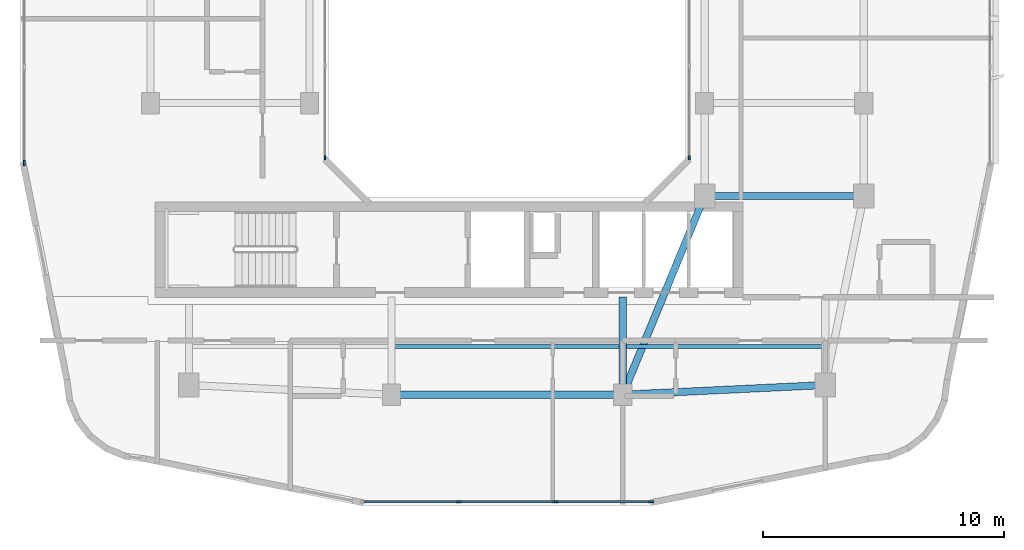
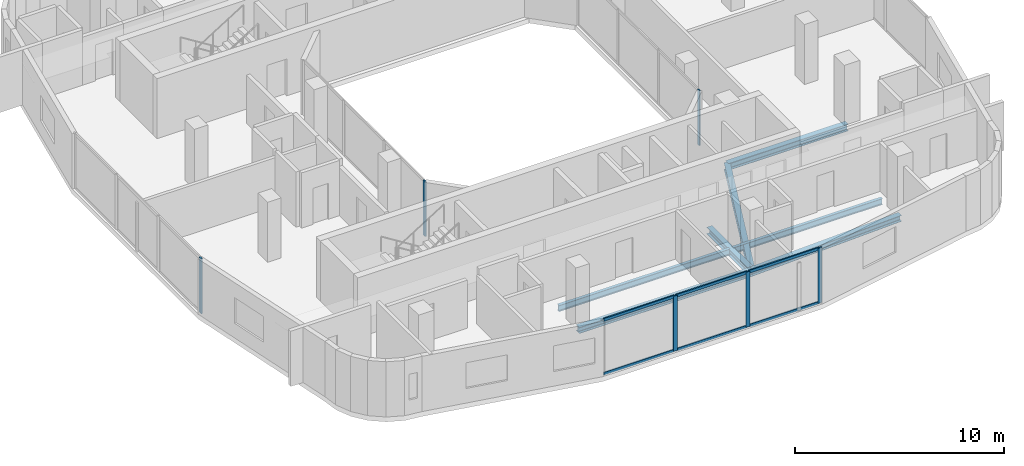
# One storey, part 2 of 14: 12 members, 7 beams, 4 elements without a shape of their own.
"""IFC4 building model written with IfcOpenShell, lengths in metres."""

from ifc_helpers import new_model, si_unit, derived_unit, direction, frame, origin, origin_2d, place, context, subcontext, project, spatial, rectangle, i_section, extrude, material, layer, layer_set, material_profile, profile_set, type_object, element, aggregate, save


model = new_model("IFC4")

# Units and contexts
model_context = context("Model", 3, precision=1e-05, world=origin(), true_north=direction((0.0, 1.0)))
body_context = subcontext(model_context, "Body", "Model", "MODEL_VIEW")
ifc_project = project(units=[si_unit("LENGTHUNIT", "METRE"), si_unit("AREAUNIT", "SQUARE_METRE"), si_unit("VOLUMEUNIT", "CUBIC_METRE"), si_unit("PLANEANGLEUNIT", "RADIAN"), si_unit("MASSUNIT", "GRAM", prefix="KILO"), derived_unit("THERMALTRANSMITTANCEUNIT", [(si_unit("POWERUNIT", "WATT"), 1), (si_unit("LENGTHUNIT", "METRE"), -2), (si_unit("THERMODYNAMICTEMPERATUREUNIT", "KELVIN"), -1)])], contexts=[model_context])

# Site, building, storey
site_placement = place(None, origin())
site = spatial("IfcSite", under=ifc_project, at=site_placement, CompositionType="ELEMENT")
building_placement = place(site_placement, origin())
building = spatial("IfcBuilding", under=site, at=building_placement, Name="Kivonza Crest Hotel", CompositionType="ELEMENT")
storey_placement = place(building_placement, frame((0.0, 0.0, 162.5)))
storey = spatial("IfcBuildingStorey", under=building, at=storey_placement, Name="L44", CompositionType="ELEMENT", Elevation=162.5)

# Beams
ifc_material_1 = material(Name="Steel S355", Category="steel")
ifc_material_profile_1 = material_profile(ifc_material_1, i_section(OverallWidth=0.300048828125, OverallDepth=0.360107421875, WebThickness=0.012451171875, FlangeThickness=0.0224609375, FilletRadius=0.027099609375, at=origin_2d()), Name="HEB 360")
ifc_profile_set_1 = profile_set([ifc_material_profile_1], Name="Steel S355")
beam_type_1 = type_object("IfcBeamType", Name="BM-HEB360", PredefinedType="SPANDREL", material=ifc_profile_set_1)
beam_1_placement = place(storey_placement, frame((16.199951171875, 9.39990234375, -0.4599609375), z_axis=(1.0, 0.0, 0.0), x_axis=(0.0, 1.0, 0.0)))
element("IfcBeam", 1, at=beam_1_placement, inside=storey, type_object=beam_type_1, Name="Tower T1 L44 perimeter spandrel S1-S2", PredefinedType="SPANDREL", context=body_context, shape_type="SweptSolid", body=[
    extrude(i_section(OverallWidth=0.300048828125, OverallDepth=0.360107421875, WebThickness=0.012451171875, FlangeThickness=0.0224609375, FilletRadius=0.027099609375, at=origin_2d()), origin(), (0.0, 0.0, 1.0), 9.60009765625),
])
beam_2_placement = place(storey_placement, frame((25.800048828125, 9.39990234375, -0.4599609375), z_axis=(0.998867283688, 0.047583080799, 0.0), x_axis=(-0.047583080799, 0.998867283688, 0.0)))
element("IfcBeam", 2, at=beam_2_placement, inside=storey, type_object=beam_type_1, Name="Tower T1 L44 perimeter spandrel S2-SE", PredefinedType="SPANDREL", context=body_context, shape_type="SweptSolid", body=[
    extrude(i_section(OverallWidth=0.300048828125, OverallDepth=0.360107421875, WebThickness=0.012451171875, FlangeThickness=0.0224609375, FilletRadius=0.027099609375, at=origin_2d()), origin(), (0.0, 0.0, 1.0), 8.409423828125),
])
ifc_material_profile_2 = material_profile(ifc_material_1, i_section(OverallWidth=0.300048828125, OverallDepth=0.39990234375, WebThickness=0.013427734375, FlangeThickness=0.02392578125, FilletRadius=0.027099609375, at=origin_2d()), Name="HEB 400")
ifc_profile_set_2 = profile_set([ifc_material_profile_2], Name="Steel S355")
beam_type_2 = type_object("IfcBeamType", Name="BM-HEB400", PredefinedType="BEAM", material=ifc_profile_set_2)
beam_3_placement = place(storey_placement, frame((25.800048828125, 9.39990234375, -0.47998046875), z_axis=(0.381022260404, 0.924565864109, 0.0), x_axis=(-0.924565864109, 0.381022260404, 0.0)))
element("IfcBeam", 3, at=beam_3_placement, inside=storey, type_object=beam_type_2, Name="Tower T1 L44 primary girder S1-TSE", PredefinedType="BEAM", context=body_context, shape_type="SweptSolid", body=[
    extrude(i_section(OverallWidth=0.300048828125, OverallDepth=0.39990234375, WebThickness=0.013427734375, FlangeThickness=0.02392578125, FilletRadius=0.027099609375, at=origin_2d()), origin(), (0.0, 0.0, 1.0), 8.923095703125),
])
beam_4_placement = place(storey_placement, frame((29.199951171875, 17.64990234375, -0.47998046875), z_axis=(1.0, 0.0, 0.0), x_axis=(0.0, 1.0, 0.0)))
element("IfcBeam", 4, at=beam_4_placement, inside=storey, type_object=beam_type_2, Name="Tower T1 L44 primary girder TSE-PSE", PredefinedType="BEAM", context=body_context, shape_type="SweptSolid", body=[
    extrude(i_section(OverallWidth=0.300048828125, OverallDepth=0.39990234375, WebThickness=0.013427734375, FlangeThickness=0.02392578125, FilletRadius=0.027099609375, at=origin_2d()), origin(), (0.0, 0.0, 1.0), 6.60009765625),
])
beam_5_placement = place(storey_placement, frame((25.800048828125, 9.39990234375, -0.47998046875), z_axis=(0.0, 1.0, 0.0), x_axis=(-1.0, 0.0, 0.0)))
element("IfcBeam", 5, at=beam_5_placement, inside=storey, type_object=beam_type_2, Name="Tower T1 L44 radial core girder RS2", PredefinedType="BEAM", context=body_context, shape_type="SweptSolid", body=[
    extrude(i_section(OverallWidth=0.300048828125, OverallDepth=0.39990234375, WebThickness=0.013427734375, FlangeThickness=0.02392578125, FilletRadius=0.027099609375, at=origin_2d()), origin(), (0.0, 0.0, 1.0), 4.050048828125),
])
ifc_material_profile_3 = material_profile(ifc_material_1, i_section(OverallWidth=0.169921875, OverallDepth=0.360107421875, WebThickness=0.008056640625, FlangeThickness=0.0126953125, FilletRadius=0.01806640625, at=origin_2d()), Name="IPE 360")
ifc_profile_set_3 = profile_set([ifc_material_profile_3], Name="Steel S355")
beam_type_3 = type_object("IfcBeamType", Name="BM-IPE360", PredefinedType="JOIST", material=ifc_profile_set_3)
beam_6_placement = place(storey_placement, frame((16.280029296875, 11.39990234375, -0.4599609375), z_axis=(1.0, 0.0, 0.0), x_axis=(0.0, 1.0, 0.0)))
element("IfcBeam", 6, at=beam_6_placement, inside=storey, type_object=beam_type_3, Name="Tower T1 L44 South-Mid floor joist", PredefinedType="JOIST", context=body_context, shape_type="SweptSolid", body=[
    extrude(i_section(OverallWidth=0.169921875, OverallDepth=0.360107421875, WebThickness=0.008056640625, FlangeThickness=0.0126953125, FilletRadius=0.01806640625, at=origin_2d()), origin(), (0.0, 0.0, 1.0), 9.43994140625),
])
beam_7_placement = place(storey_placement, frame((25.8798828125, 11.39990234375, -0.4599609375), z_axis=(1.0, 0.0, 0.0), x_axis=(0.0, 1.0, 0.0)))
element("IfcBeam", 7, at=beam_7_placement, inside=storey, type_object=beam_type_3, Name="Tower T1 L44 South-East floor joist", PredefinedType="JOIST", context=body_context, shape_type="SweptSolid", body=[
    extrude(i_section(OverallWidth=0.169921875, OverallDepth=0.360107421875, WebThickness=0.008056640625, FlangeThickness=0.0126953125, FilletRadius=0.01806640625, at=origin_2d()), origin(), (0.0, 0.0, 1.0), 8.240234375),
])

# Curtain wall, member
ifc_material_2 = material(Name="Anodised bronze aluminium and low-E double glazing", Category="aluminium")
ifc_layer_1 = layer(ifc_material_2, 0.159912109375)
ifc_layer_set_1 = layer_set([ifc_layer_1], Name="Anodised bronze aluminium and low-E double glazing")
curtain_wall_type_1 = type_object("IfcCurtainWallType", Name="CW-SYS-5", PredefinedType="NOTDEFINED", material=ifc_layer_set_1)
curtain_wall_1_placement = place(storey_placement, origin())
curtain_wall_1 = element("IfcCurtainWall", 8, at=curtain_wall_1_placement, inside=storey, type_object=curtain_wall_type_1, Name="L44 unitised curtain wall CW-WELL-T1-L44-3", PredefinedType="NOTDEFINED")
ifc_material_3 = material(Name="Anodised bronze aluminium", Category="aluminium")
ifc_material_profile_4 = material_profile(ifc_material_3, rectangle(XDim=0.06494140625, YDim=0.179931640625, at=origin_2d()), Name="CW-M 65x180")
ifc_profile_set_4 = profile_set([ifc_material_profile_4], Name="Anodised bronze aluminium")
member_type_1 = type_object("IfcMemberType", Name="CW-MUL-65x180", PredefinedType="MULLION", material=ifc_profile_set_4)
member_1_placement = place(storey_placement, frame((28.56005859375, 19.232421875, 0.0), z_axis=(0.0, 0.0, 1.0), x_axis=(-1.0, 0.0, 0.0)))
member_1 = element("IfcMember", 9, at=member_1_placement, type_object=member_type_1, Name="CW-5 mullion 1", PredefinedType="MULLION", context=body_context, shape_type="SweptSolid", body=[
    extrude(rectangle(XDim=0.06494140625, YDim=0.179931640625, at=origin_2d()), origin(), (0.0, 0.0, 1.0), 3.219970703125),
])
aggregate(curtain_wall_1, [member_1])

curtain_wall_2_placement = place(storey_placement, origin())
curtain_wall_2 = element("IfcCurtainWall", 10, at=curtain_wall_2_placement, inside=storey, type_object=curtain_wall_type_1, Name="L44 unitised curtain wall CW-WELL-T1-L44-7", PredefinedType="NOTDEFINED")
member_2_placement = place(storey_placement, frame((13.43994140625, 19.232421875, 0.0), z_axis=(0.0, 0.0, 1.0), x_axis=(1.0, 0.0, 0.0)))
member_2 = element("IfcMember", 11, at=member_2_placement, type_object=member_type_1, Name="CW-5 mullion 4", PredefinedType="MULLION", context=body_context, shape_type="SweptSolid", body=[
    extrude(rectangle(XDim=0.06494140625, YDim=0.179931640625, at=origin_2d()), origin(), (0.0, 0.0, 1.0), 3.219970703125),
])
aggregate(curtain_wall_2, [member_2])

# Curtain wall, members
ifc_layer_2 = layer(ifc_material_2, 0.179931640625)
ifc_layer_set_2 = layer_set([ifc_layer_2], Name="Anodised bronze aluminium and low-E double glazing")
curtain_wall_type_2 = type_object("IfcCurtainWallType", Name="CW-SYS-3", PredefinedType="NOTDEFINED", material=ifc_layer_set_2)
curtain_wall_3_placement = place(storey_placement, origin())
curtain_wall_3 = element("IfcCurtainWall", 12, at=curtain_wall_3_placement, inside=storey, type_object=curtain_wall_type_2, Name="L44 unitised curtain wall CW-T1-L44-08", PredefinedType="NOTDEFINED")
ifc_material_profile_5 = material_profile(ifc_material_3, rectangle(XDim=0.074951171875, YDim=0.219970703125, at=origin_2d()), Name="CW-M 75x220")
ifc_profile_set_5 = profile_set([ifc_material_profile_5], Name="Anodised bronze aluminium")
member_type_2 = type_object("IfcMemberType", Name="CW-MUL-75x220", PredefinedType="MULLION", material=ifc_profile_set_5)
member_3_placement = place(storey_placement, frame((18.993408203125, 4.9599609375, 0.0), z_axis=(0.0, 0.0, 1.0), x_axis=(0.0, 1.0, 0.0)))
member_3 = element("IfcMember", 13, at=member_3_placement, type_object=member_type_2, Name="CW-3 mullion 2", PredefinedType="MULLION", context=body_context, shape_type="SweptSolid", body=[
    extrude(rectangle(XDim=0.074951171875, YDim=0.219970703125, at=origin_2d()), origin(), (0.0, 0.0, 1.0), 3.219970703125),
])
member_4_placement = place(storey_placement, frame((23.006591796875, 4.9599609375, 0.0), z_axis=(0.0, 0.0, 1.0), x_axis=(0.0, 1.0, 0.0)))
member_4 = element("IfcMember", 14, at=member_4_placement, type_object=member_type_2, Name="CW-3 mullion 3", PredefinedType="MULLION", context=body_context, shape_type="SweptSolid", body=[
    extrude(rectangle(XDim=0.074951171875, YDim=0.219970703125, at=origin_2d()), origin(), (0.0, 0.0, 1.0), 3.219970703125),
])
member_5_placement = place(storey_placement, frame((26.982421875, 4.9599609375, 0.0), z_axis=(0.0, 0.0, 1.0), x_axis=(0.0, 1.0, 0.0)))
member_5 = element("IfcMember", 15, at=member_5_placement, type_object=member_type_2, Name="CW-3 mullion 4", PredefinedType="MULLION", context=body_context, shape_type="SweptSolid", body=[
    extrude(rectangle(XDim=0.074951171875, YDim=0.219970703125, at=origin_2d()), origin(), (0.0, 0.0, 1.0), 3.219970703125),
])

# Curtain wall, member
curtain_wall_4_placement = place(storey_placement, origin())
curtain_wall_4 = element("IfcCurtainWall", 16, at=curtain_wall_4_placement, inside=storey, type_object=curtain_wall_type_2, Name="L44 unitised curtain wall CW-T1-L44-35", PredefinedType="NOTDEFINED")
member_6_placement = place(storey_placement, frame((0.9599609375, 19.017578125, 0.0), z_axis=(0.0, 0.0, 1.0), x_axis=(1.0, 0.0, 0.0)))
member_6 = element("IfcMember", 17, at=member_6_placement, type_object=member_type_2, Name="CW-3 mullion 4", PredefinedType="MULLION", context=body_context, shape_type="SweptSolid", body=[
    extrude(rectangle(XDim=0.074951171875, YDim=0.219970703125, at=origin_2d()), origin(), (0.0, 0.0, 1.0), 3.219970703125),
])
aggregate(curtain_wall_4, [member_6])

# Member
ifc_material_profile_6 = material_profile(ifc_material_3, rectangle(XDim=0.074951171875, YDim=0.159912109375, at=origin_2d()), Name="CW-T 75x160")
ifc_profile_set_6 = profile_set([ifc_material_profile_6], Name="Anodised bronze aluminium")
member_type_3 = type_object("IfcMemberType", Name="CW-TRN-75x160", PredefinedType="USERDEFINED", material=ifc_profile_set_6)
member_7_placement = place(storey_placement, frame((15.054931640625, 4.9599609375, 0.03759765625), z_axis=(1.0, 0.0, 0.0), x_axis=(0.0, 1.0, 0.0)))
member_7 = element("IfcMember", 18, at=member_7_placement, type_object=member_type_3, Name="CW-3 transom 1.1", ObjectType="TRANSOM", PredefinedType="USERDEFINED", context=body_context, shape_type="SweptSolid", body=[
    extrude(rectangle(XDim=0.074951171875, YDim=0.159912109375, at=origin_2d()), origin(), (0.0, 0.0, 1.0), 3.90087890625),
])

member_8_placement = place(storey_placement, frame((15.054931640625, 4.9599609375, 3.1826171875), z_axis=(1.0, 0.0, 0.0), x_axis=(0.0, 1.0, 0.0)))
member_8 = element("IfcMember", 19, at=member_8_placement, type_object=member_type_3, Name="CW-3 transom 1.2", ObjectType="TRANSOM", PredefinedType="USERDEFINED", context=body_context, shape_type="SweptSolid", body=[
    extrude(rectangle(XDim=0.074951171875, YDim=0.159912109375, at=origin_2d()), origin(), (0.0, 0.0, 1.0), 3.90087890625),
])

member_9_placement = place(storey_placement, frame((19.03076171875, 4.9599609375, 0.03759765625), z_axis=(1.0, 0.0, 0.0), x_axis=(0.0, 1.0, 0.0)))
member_9 = element("IfcMember", 20, at=member_9_placement, type_object=member_type_3, Name="CW-3 transom 2.1", ObjectType="TRANSOM", PredefinedType="USERDEFINED", context=body_context, shape_type="SweptSolid", body=[
    extrude(rectangle(XDim=0.074951171875, YDim=0.159912109375, at=origin_2d()), origin(), (0.0, 0.0, 1.0), 3.9384765625),
])

member_10_placement = place(storey_placement, frame((19.03076171875, 4.9599609375, 3.1826171875), z_axis=(1.0, 0.0, 0.0), x_axis=(0.0, 1.0, 0.0)))
member_10 = element("IfcMember", 21, at=member_10_placement, type_object=member_type_3, Name="CW-3 transom 2.2", ObjectType="TRANSOM", PredefinedType="USERDEFINED", context=body_context, shape_type="SweptSolid", body=[
    extrude(rectangle(XDim=0.074951171875, YDim=0.159912109375, at=origin_2d()), origin(), (0.0, 0.0, 1.0), 3.9384765625),
])

member_11_placement = place(storey_placement, frame((23.044189453125, 4.9599609375, 0.03759765625), z_axis=(1.0, 0.0, 0.0), x_axis=(0.0, 1.0, 0.0)))
member_11 = element("IfcMember", 22, at=member_11_placement, type_object=member_type_3, Name="CW-3 transom 3.1", ObjectType="TRANSOM", PredefinedType="USERDEFINED", context=body_context, shape_type="SweptSolid", body=[
    extrude(rectangle(XDim=0.074951171875, YDim=0.159912109375, at=origin_2d()), origin(), (0.0, 0.0, 1.0), 3.90087890625),
])

member_12_placement = place(storey_placement, frame((23.044189453125, 4.9599609375, 3.1826171875), z_axis=(1.0, 0.0, 0.0), x_axis=(0.0, 1.0, 0.0)))
member_12 = element("IfcMember", 23, at=member_12_placement, type_object=member_type_3, Name="CW-3 transom 3.2", ObjectType="TRANSOM", PredefinedType="USERDEFINED", context=body_context, shape_type="SweptSolid", body=[
    extrude(rectangle(XDim=0.074951171875, YDim=0.159912109375, at=origin_2d()), origin(), (0.0, 0.0, 1.0), 3.90087890625),
])

aggregate(curtain_wall_3, [member_3, member_4, member_5, member_7, member_8, member_9, member_10, member_11, member_12])

save(model, "model.ifc")
